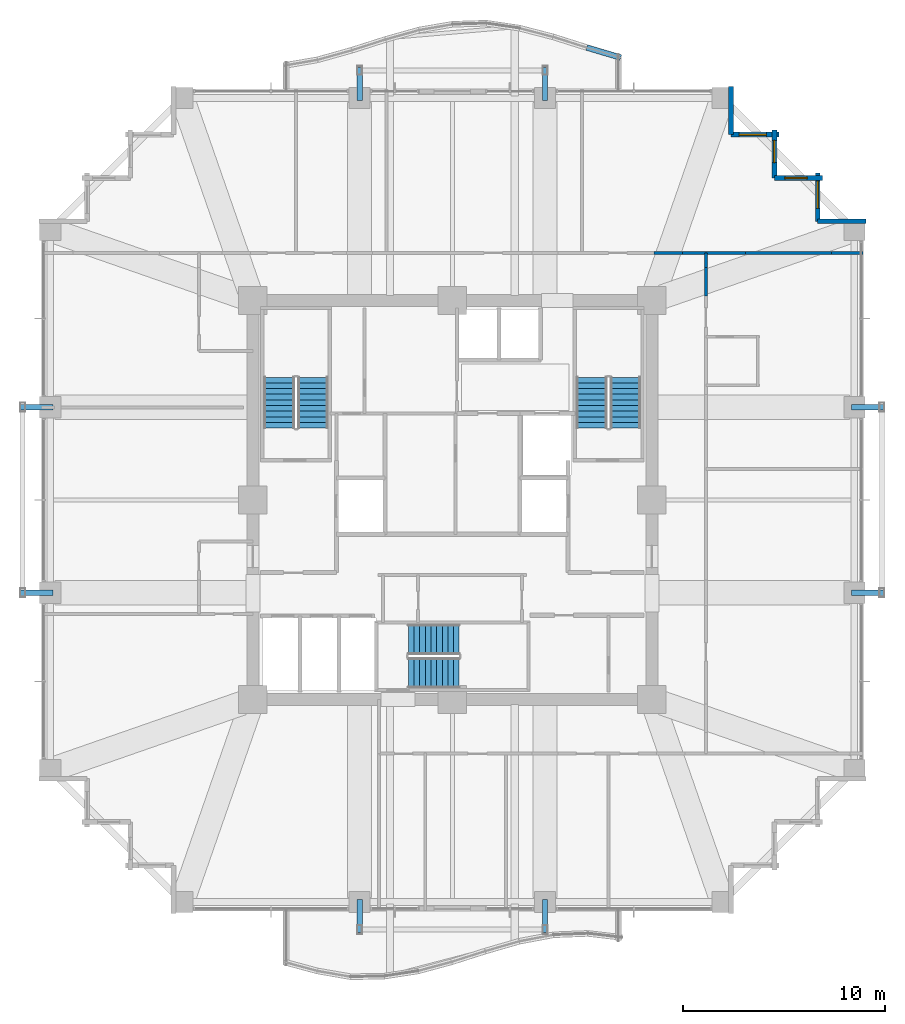
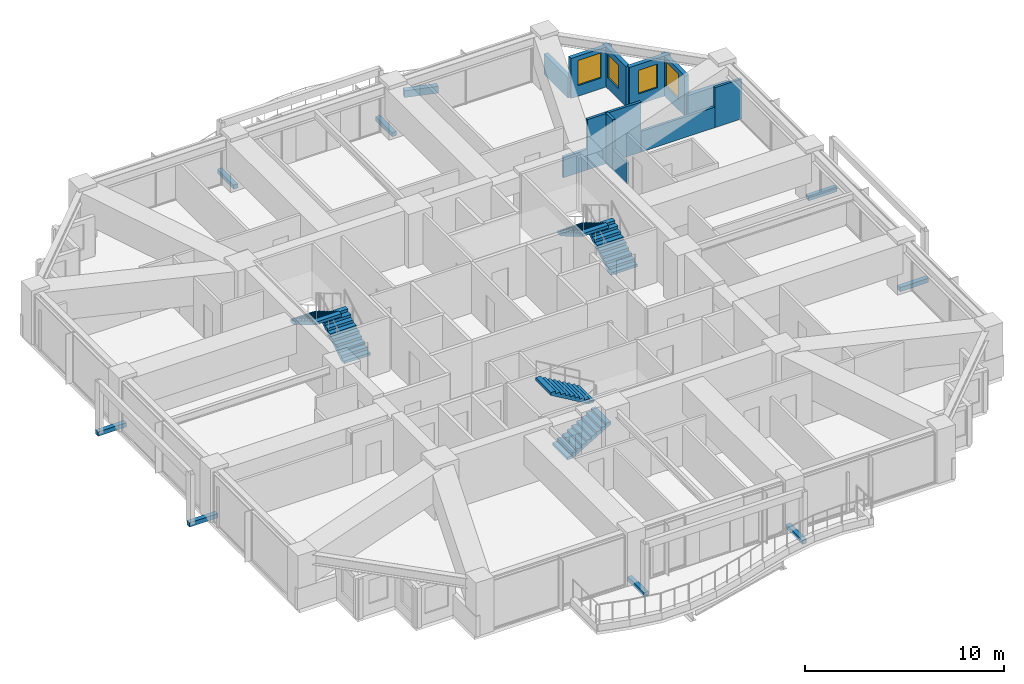
# One storey, part 37 of 39: 14 walls, 8 discrete accessories, 6 stair flights, 4 windows, 4 openings, 3 elements without a shape of their own.
"""IFC4 building model written with IfcOpenShell, lengths in metres."""

from ifc_helpers import new_model, si_unit, direction, frame, frame_2d, origin, origin_2d, place, context, subcontext, project, spatial, polyline, rectangle, outline, extrude, material, layer, layer_set, type_object, element, fill, aggregate, save


model = new_model("IFC4")

# Units and contexts
model_context = context("Model", 3, precision=1e-05, world=origin(), true_north=direction((0.0, 1.0)))
body_context = subcontext(model_context, "Body", "Model", "MODEL_VIEW")
ifc_project = project(units=[si_unit("LENGTHUNIT", "METRE"), si_unit("AREAUNIT", "SQUARE_METRE"), si_unit("VOLUMEUNIT", "CUBIC_METRE"), si_unit("PLANEANGLEUNIT", "RADIAN"), si_unit("MASSUNIT", "GRAM", prefix="KILO")], contexts=[model_context])

# Site, building, storey
site_placement = place(None, origin())
site = spatial("IfcSite", under=ifc_project, at=site_placement, CompositionType="ELEMENT")
building_placement = place(site_placement, origin())
building = spatial("IfcBuilding", under=site, at=building_placement, Name="Kolvaren Belvedere", CompositionType="ELEMENT")
storey_placement = place(building_placement, frame((0.0, 0.0, 85.39990234375)))
storey = spatial("IfcBuildingStorey", under=building, at=storey_placement, Name="L24", CompositionType="ELEMENT", Elevation=85.39990234375)

# Walls
ifc_material_1 = material(Name="Gypsum fire-rated partition assembly", Category="gypsum")
ifc_layer_1 = layer(ifc_material_1, 0.14990234375)
ifc_layer_set_1 = layer_set([ifc_layer_1], Name="Gypsum fire-rated partition assembly")
wall_type_1 = type_object("IfcWallType", Name="WL-CORR-150", PredefinedType="PARTITIONING", material=ifc_layer_set_1)
wall_1_placement = place(storey_placement, frame((10.013427734375, 12.260009765625, 0.0), z_axis=(0.0, 0.0, 1.0), x_axis=(1.0, 0.0, 0.0)))
element("IfcWall", 1, at=wall_1_placement, inside=storey, type_object=wall_type_1, Name="L24 North Corridor Wall", PredefinedType="PARTITIONING", context=body_context, shape_type="SweptSolid", body=[
    extrude(rectangle(XDim=1.416748046875, YDim=0.14990234375, at=frame_2d((0.70849609375, 0.0))), origin(), (0.0, 0.0, 1.0), 1.26513671875),
])
wall_2_placement = place(storey_placement, frame((11.43017578125, 12.260009765625, 0.0), z_axis=(0.0, 0.0, 1.0), x_axis=(1.0, 0.0, 0.0)))
element("IfcWall", 2, at=wall_2_placement, inside=storey, type_object=wall_type_1, Name="L24 North Corridor Wall", PredefinedType="PARTITIONING", context=body_context, shape_type="SweptSolid", body=[
    extrude(rectangle(XDim=1.14990234375, YDim=0.14990234375, at=frame_2d((0.574951171875, 0.0))), origin(), (0.0, 0.0, 1.0), 3.080078125),
])
wall_3_placement = place(storey_placement, frame((12.580078125, 10.125, 0.0), z_axis=(0.0, 0.0, 1.0), x_axis=(0.0, 1.0, 0.0)))
element("IfcWall", 3, at=wall_3_placement, inside=storey, type_object=wall_type_1, Name="L24 East Corridor Wall", PredefinedType="PARTITIONING", context=body_context, shape_type="SweptSolid", body=[
    extrude(rectangle(XDim=1.416748046875, YDim=0.14990234375, at=frame_2d((0.70849609375, 0.0))), origin(), (0.0, 0.0, 1.0), 1.26513671875),
])
wall_4_placement = place(storey_placement, frame((12.580078125, 11.541748046875, 0.0), z_axis=(0.0, 0.0, 1.0), x_axis=(0.0, 1.0, 0.0)))
element("IfcWall", 4, at=wall_4_placement, inside=storey, type_object=wall_type_1, Name="L24 East Corridor Wall", PredefinedType="PARTITIONING", context=body_context, shape_type="SweptSolid", body=[
    extrude(rectangle(XDim=0.71826171875, YDim=0.14990234375, at=frame_2d((0.359130859375, 0.0))), origin(), (0.0, 0.0, 1.0), 3.080078125),
])
ifc_material_2 = material(Name="Insulated pale-metal facade wall assembly", Category="aluminium")
ifc_layer_2 = layer(ifc_material_2, 0.239990234375)
ifc_layer_set_2 = layer_set([ifc_layer_2], Name="Insulated pale-metal facade wall assembly")
wall_type_2 = type_object("IfcWallType", Name="WL-EXT-240", PredefinedType="STANDARD", material=ifc_layer_set_2)
wall_5_placement = place(storey_placement, frame((18.1298828125, 13.830078125, 0.0), z_axis=(0.0, 0.0, 1.0), x_axis=(1.0, 0.0, 0.0)))
element("IfcWall", 5, at=wall_5_placement, inside=storey, type_object=wall_type_2, Name="L24 Serrated Corner Facade Wall 9", PredefinedType="STANDARD", context=body_context, shape_type="SweptSolid", body=[
    extrude(rectangle(XDim=2.39013671875, YDim=0.239990234375, at=frame_2d((1.195068359375, 0.0))), origin(), (0.0, 0.0, 1.0), 1.275146484375),
])

# Wall, opening, window
wall_6_placement = place(storey_placement, frame((18.1298828125, 16.219970703125, 0.0), z_axis=(0.0, 0.0, 1.0), x_axis=(0.0, -1.0, 0.0)))
wall_6 = element("IfcWall", 6, at=wall_6_placement, inside=storey, type_object=wall_type_2, Name="L24 Serrated Corner Facade Wall 10", PredefinedType="STANDARD", context=body_context, shape_type="SweptSolid", body=[
    extrude(rectangle(XDim=2.389892578125, YDim=0.239990234375, at=frame_2d((1.19482421875, 0.0))), origin(), (0.0, 0.0, 1.0), 2.458984375),
])
opening_1_placement = place(wall_6_placement, frame((0.39990234375, 0.0, 0.64990234375)))
opening_1 = element("IfcOpeningElement", 7, at=opening_1_placement, cuts=wall_6, Name="Opening W-1350", PredefinedType="OPENING", context=body_context, shape_type="SweptSolid", body=[
    extrude(rectangle(XDim=1.35009765625, YDim=1.550048828125, at=frame_2d((0.675048828125, 0.77490234375))), frame((0.0, 0.1298828125, 0.0), z_axis=(0.0, -1.0, 0.0), x_axis=(1.0, 0.0, 0.0)), (0.0, 0.0, 1.0), 0.260009765625),
])
ifc_material_3 = material(Name="Low-iron triple insulated glass", Category="glass")
window_type_1 = type_object("IfcWindowType", Name="WN-CORN-1350", PartitioningType="SINGLE_PANEL", PredefinedType="WINDOW", material=ifc_material_3)
window_1_placement = place(opening_1_placement, origin())
window_1 = element("IfcWindow", 8, at=window_1_placement, inside=storey, type_object=window_type_1, Name="L24 Serrated Corner Vision Window 10", OverallHeight=1.550048828125, OverallWidth=1.35009765625, PartitioningType="SINGLE_PANEL", PredefinedType="WINDOW", context=body_context, shape_type="SweptSolid", body=[
    extrude(rectangle(XDim=1.35009765625, YDim=1.550048828125, at=frame_2d((0.675048828125, 0.77490234375))), frame((0.0, 0.030029296875, 0.0), z_axis=(0.0, -1.0, 0.0), x_axis=(1.0, 0.0, 0.0)), (0.0, 0.0, 1.0), 0.06005859375),
])
fill(opening_1, window_1)

wall_7_placement = place(storey_placement, frame((15.97998046875, 15.97998046875, 0.0), z_axis=(0.0, 0.0, 1.0), x_axis=(1.0, 0.0, 0.0)))
wall_7 = element("IfcWall", 9, at=wall_7_placement, inside=storey, type_object=wall_type_2, Name="L24 Serrated Corner Facade Wall 11", PredefinedType="STANDARD", context=body_context, shape_type="SweptSolid", body=[
    extrude(rectangle(XDim=2.39013671875, YDim=0.239990234375, at=frame_2d((1.195068359375, 0.0))), origin(), (0.0, 0.0, 1.0), 2.458984375),
])
opening_2_placement = place(wall_7_placement, frame((0.52490234375, 0.0, 0.64990234375)))
opening_2 = element("IfcOpeningElement", 10, at=opening_2_placement, cuts=wall_7, Name="Opening W-1100", PredefinedType="OPENING", context=body_context, shape_type="SweptSolid", body=[
    extrude(rectangle(XDim=1.10009765625, YDim=1.449951171875, at=frame_2d((0.550048828125, 0.72509765625))), frame((0.0, 0.1298828125, 0.0), z_axis=(0.0, -1.0, 0.0), x_axis=(1.0, 0.0, 0.0)), (0.0, 0.0, 1.0), 0.260009765625),
])
ifc_material_4 = material(Name="Low-iron triple insulated glass", Category="glass")
window_type_2 = type_object("IfcWindowType", Name="WN-CORN-1100", PartitioningType="SINGLE_PANEL", PredefinedType="WINDOW", material=ifc_material_4)
window_2_placement = place(opening_2_placement, origin())
window_2 = element("IfcWindow", 11, at=window_2_placement, inside=storey, type_object=window_type_2, Name="L24 Serrated Corner Vision Window 11", OverallHeight=1.449951171875, OverallWidth=1.10009765625, PartitioningType="SINGLE_PANEL", PredefinedType="WINDOW", context=body_context, shape_type="SweptSolid", body=[
    extrude(rectangle(XDim=1.10009765625, YDim=1.449951171875, at=frame_2d((0.550048828125, 0.72509765625))), frame((0.0, 0.030029296875, 0.0), z_axis=(0.0, -1.0, 0.0), x_axis=(1.0, 0.0, 0.0)), (0.0, 0.0, 1.0), 0.06005859375),
])
fill(opening_2, window_2)

wall_8_placement = place(storey_placement, frame((15.97998046875, 18.3701171875, 0.0), z_axis=(0.0, 0.0, 1.0), x_axis=(0.0, -1.0, 0.0)))
wall_8 = element("IfcWall", 12, at=wall_8_placement, inside=storey, type_object=wall_type_2, Name="L24 Serrated Corner Facade Wall 12", PredefinedType="STANDARD", context=body_context, shape_type="SweptSolid", body=[
    extrude(rectangle(XDim=2.39013671875, YDim=0.239990234375, at=frame_2d((1.195068359375, 0.0))), origin(), (0.0, 0.0, 1.0), 2.458984375),
])
opening_3_placement = place(wall_8_placement, frame((0.52490234375, 0.0, 0.64990234375)))
opening_3 = element("IfcOpeningElement", 13, at=opening_3_placement, cuts=wall_8, Name="Opening W-1100", PredefinedType="OPENING", context=body_context, shape_type="SweptSolid", body=[
    extrude(rectangle(XDim=1.10009765625, YDim=1.449951171875, at=frame_2d((0.550048828125, 0.72509765625))), frame((0.0, 0.1298828125, 0.0), z_axis=(0.0, -1.0, 0.0), x_axis=(1.0, 0.0, 0.0)), (0.0, 0.0, 1.0), 0.260009765625),
])
window_3_placement = place(opening_3_placement, origin())
window_3 = element("IfcWindow", 14, at=window_3_placement, inside=storey, type_object=window_type_2, Name="L24 Serrated Corner Vision Window 12", OverallHeight=1.449951171875, OverallWidth=1.10009765625, PartitioningType="SINGLE_PANEL", PredefinedType="WINDOW", context=body_context, shape_type="SweptSolid", body=[
    extrude(rectangle(XDim=1.10009765625, YDim=1.449951171875, at=frame_2d((0.550048828125, 0.72509765625))), frame((0.0, 0.030029296875, 0.0), z_axis=(0.0, -1.0, 0.0), x_axis=(1.0, 0.0, 0.0)), (0.0, 0.0, 1.0), 0.06005859375),
])
fill(opening_3, window_3)

wall_9_placement = place(storey_placement, frame((13.830078125, 18.1298828125, 0.0), z_axis=(0.0, 0.0, 1.0), x_axis=(1.0, 0.0, 0.0)))
wall_9 = element("IfcWall", 15, at=wall_9_placement, inside=storey, type_object=wall_type_2, Name="L24 Serrated Corner Facade Wall 13", PredefinedType="STANDARD", context=body_context, shape_type="SweptSolid", body=[
    extrude(rectangle(XDim=2.389892578125, YDim=0.239990234375, at=frame_2d((1.19482421875, 0.0))), origin(), (0.0, 0.0, 1.0), 2.458984375),
])
opening_4_placement = place(wall_9_placement, frame((0.39990234375, 0.0, 0.64990234375)))
opening_4 = element("IfcOpeningElement", 16, at=opening_4_placement, cuts=wall_9, Name="Opening W-1350", PredefinedType="OPENING", context=body_context, shape_type="SweptSolid", body=[
    extrude(rectangle(XDim=1.35009765625, YDim=1.550048828125, at=frame_2d((0.675048828125, 0.77490234375))), frame((0.0, 0.1298828125, 0.0), z_axis=(0.0, -1.0, 0.0), x_axis=(1.0, 0.0, 0.0)), (0.0, 0.0, 1.0), 0.260009765625),
])
window_4_placement = place(opening_4_placement, origin())
window_4 = element("IfcWindow", 17, at=window_4_placement, inside=storey, type_object=window_type_1, Name="L24 Serrated Corner Vision Window 13", OverallHeight=1.550048828125, OverallWidth=1.35009765625, PartitioningType="SINGLE_PANEL", PredefinedType="WINDOW", context=body_context, shape_type="SweptSolid", body=[
    extrude(rectangle(XDim=1.35009765625, YDim=1.550048828125, at=frame_2d((0.675048828125, 0.77490234375))), frame((0.0, 0.030029296875, 0.0), z_axis=(0.0, -1.0, 0.0), x_axis=(1.0, 0.0, 0.0)), (0.0, 0.0, 1.0), 0.06005859375),
])
fill(opening_4, window_4)

# Walls
wall_10_placement = place(storey_placement, frame((13.830078125, 20.52001953125, 0.0), z_axis=(0.0, 0.0, 1.0), x_axis=(0.0, -1.0, 0.0)))
element("IfcWall", 18, at=wall_10_placement, inside=storey, type_object=wall_type_2, Name="L24 Serrated Corner Facade Wall 14", PredefinedType="STANDARD", context=body_context, shape_type="SweptSolid", body=[
    extrude(rectangle(XDim=2.39013671875, YDim=0.239990234375, at=frame_2d((1.195068359375, 0.0))), origin(), (0.0, 0.0, 1.0), 1.275146484375),
])
ifc_material_5 = material(Name="Gypsum acoustic partition assembly", Category="gypsum")
ifc_layer_3 = layer(ifc_material_5, 0.14990234375)
ifc_layer_set_3 = layer_set([ifc_layer_3], Name="Gypsum acoustic partition assembly")
wall_type_3 = type_object("IfcWallType", Name="WL-PART-150", PredefinedType="PARTITIONING", material=ifc_layer_set_3)
wall_11_placement = place(storey_placement, frame((12.580078125, 12.260009765625, 0.0), z_axis=(0.0, 0.0, 1.0), x_axis=(1.0, 0.0, 0.0)))
element("IfcWall", 19, at=wall_11_placement, inside=storey, type_object=wall_type_3, Name="L24 Wing Divider PW-L24-QNE", PredefinedType="PARTITIONING", context=body_context, shape_type="SweptSolid", body=[
    extrude(rectangle(XDim=1.955810546875, YDim=0.14990234375, at=frame_2d((0.97802734375, 0.0))), origin(), (0.0, 0.0, 1.0), 3.080078125),
])
wall_12_placement = place(storey_placement, frame((14.535888671875, 12.260009765625, 0.0), z_axis=(0.0, 0.0, 1.0), x_axis=(1.0, 0.0, 0.0)))
element("IfcWall", 20, at=wall_12_placement, inside=storey, type_object=wall_type_3, Name="L24 Wing Divider PW-L24-QNE", PredefinedType="PARTITIONING", context=body_context, shape_type="SweptSolid", body=[
    extrude(rectangle(XDim=4.281494140625, YDim=0.14990234375, at=frame_2d((2.140625, 0.0))), origin(), (0.0, 0.0, 1.0), 1.26513671875),
])
wall_13_placement = place(storey_placement, frame((18.8173828125, 12.260009765625, 0.0), z_axis=(0.0, 0.0, 1.0), x_axis=(1.0, 0.0, 0.0)))
element("IfcWall", 21, at=wall_13_placement, inside=storey, type_object=wall_type_3, Name="L24 Wing Divider PW-L24-QNE", PredefinedType="PARTITIONING", context=body_context, shape_type="SweptSolid", body=[
    extrude(rectangle(XDim=1.5625, YDim=0.14990234375, at=frame_2d((0.78125, 0.0))), origin(), (0.0, 0.0, 1.0), 2.44921875),
])
ifc_material_6 = material(Name="Precast concrete C40/50", Category="concrete")
ifc_layer_4 = layer(ifc_material_6, 0.300048828125)
ifc_layer_set_4 = layer_set([ifc_layer_4], Name="Precast concrete C40/50")
wall_type_4 = type_object("IfcWallType", Name="WL-PLANTER-300", PredefinedType="PARAPET", material=ifc_layer_set_4)
wall_14_placement = place(storey_placement, frame((8.3544921875, 21.951904296875, -0.039794921875), z_axis=(0.0, 0.0, 1.0), x_axis=(-0.958574394638, 0.284842289601, 0.0)))
element("IfcWall", 22, at=wall_14_placement, inside=storey, type_object=wall_type_4, Name="L24 Precast Structural Planter Wall BAL-N-12", PredefinedType="PARAPET", context=body_context, shape_type="SweptSolid", body=[
    extrude(rectangle(XDim=1.752685546875, YDim=0.280029296875, at=frame_2d((0.87646484375, 0.0))), origin(), (0.0, 0.0, 1.0), 0.419921875),
])

# Stair, stair flights
ifc_material_7 = material(Name="Concrete C50/60", Category="concrete")
stair_type = type_object("IfcStairType", Name="ST-CORE-1520", PredefinedType="HALF_TURN_STAIR", material=ifc_material_7)
stair_1_placement = place(storey_placement, origin())
stair_1 = element("IfcStair", 23, at=stair_1_placement, inside=storey, type_object=stair_type, Name="L24 Protected Exit Stair ST-1", PredefinedType="HALF_TURN_STAIR")
ifc_material_8 = material(Name="Concrete C50/60", Category="concrete")
stair_flight_type = type_object("IfcStairFlightType", Name="SF-STR-1520", PredefinedType="STRAIGHT", material=ifc_material_8)
stair_flight_1_placement = place(storey_placement, frame((-6.919921875, 3.570068359375, 0.0), z_axis=(0.0, 0.0, 1.0), x_axis=(0.0, 1.0, 0.0)))
stair_flight_1 = element("IfcStairFlight", 24, at=stair_flight_1_placement, type_object=stair_flight_type, Name="ST-1 flight 1", NumberOfRisers=10, NumberOfTreads=9, PredefinedType="STRAIGHT", RiserHeight=0.165, TreadLength=0.28, context=body_context, shape_type="SweptSolid", body=[
    extrude(outline(polyline([(0.0, 0.0), (0.0, 0.1650390625), (0.280029296875, 0.1650390625), (0.280029296875, 0.330078125), (0.56005859375, 0.330078125), (0.56005859375, 0.4951171875), (0.840087890625, 0.4951171875), (0.840087890625, 0.659912109375), (1.1201171875, 0.659912109375), (1.1201171875, 0.824951171875), (1.39990234375, 0.824951171875), (1.39990234375, 0.989990234375), (1.679931640625, 0.989990234375), (1.679931640625, 1.155029296875), (1.9599609375, 1.155029296875), (1.9599609375, 1.320068359375), (2.239990234375, 1.320068359375), (2.239990234375, 1.485107421875), (2.52001953125, 1.485107421875), (2.52001953125, 1.64990234375), (2.52001953125, 1.31103515625), (0.295166015625, 0.0), (0.0, 0.0)])), frame((0.0, 0.760009765625, 0.0), z_axis=(0.0, -1.0, 0.0), x_axis=(1.0, 0.0, 0.0)), (0.0, 0.0, 1.0), 1.52001953125),
])
stair_flight_2_placement = place(storey_placement, frame((-8.590087890625, 6.090087890625, 1.650146484375), z_axis=(0.0, 0.0, 1.0), x_axis=(0.0, -1.0, 0.0)))
stair_flight_2 = element("IfcStairFlight", 25, at=stair_flight_2_placement, type_object=stair_flight_type, Name="ST-1 flight 2", NumberOfRisers=10, NumberOfTreads=9, PredefinedType="STRAIGHT", RiserHeight=0.165, TreadLength=0.28, context=body_context, shape_type="SweptSolid", body=[
    extrude(outline(polyline([(0.0, 0.0), (0.0, 0.1650390625), (0.280029296875, 0.1650390625), (0.280029296875, 0.330078125), (0.56005859375, 0.330078125), (0.56005859375, 0.4951171875), (0.840087890625, 0.4951171875), (0.840087890625, 0.659912109375), (1.1201171875, 0.659912109375), (1.1201171875, 0.824951171875), (1.39990234375, 0.824951171875), (1.39990234375, 0.989990234375), (1.679931640625, 0.989990234375), (1.679931640625, 1.155029296875), (1.9599609375, 1.155029296875), (1.9599609375, 1.320068359375), (2.239990234375, 1.320068359375), (2.239990234375, 1.485107421875), (2.52001953125, 1.485107421875), (2.52001953125, 1.64990234375), (2.52001953125, 1.31103515625), (0.295166015625, 0.0), (0.0, 0.0)])), frame((0.0, 0.760009765625, 0.0), z_axis=(0.0, -1.0, 0.0), x_axis=(1.0, 0.0, 0.0)), (0.0, 0.0, 1.0), 1.52001953125),
])
aggregate(stair_1, [stair_flight_1, stair_flight_2])

stair_2_placement = place(storey_placement, origin())
stair_2 = element("IfcStair", 26, at=stair_2_placement, inside=storey, type_object=stair_type, Name="L24 Protected Exit Stair ST-2", PredefinedType="HALF_TURN_STAIR")
stair_flight_3_placement = place(storey_placement, frame((8.590087890625, 3.570068359375, 0.0), z_axis=(0.0, 0.0, 1.0), x_axis=(0.0, 1.0, 0.0)))
stair_flight_3 = element("IfcStairFlight", 27, at=stair_flight_3_placement, type_object=stair_flight_type, Name="ST-2 flight 1", NumberOfRisers=10, NumberOfTreads=9, PredefinedType="STRAIGHT", RiserHeight=0.165, TreadLength=0.28, context=body_context, shape_type="SweptSolid", body=[
    extrude(outline(polyline([(0.0, 0.0), (0.0, 0.1650390625), (0.280029296875, 0.1650390625), (0.280029296875, 0.330078125), (0.56005859375, 0.330078125), (0.56005859375, 0.4951171875), (0.840087890625, 0.4951171875), (0.840087890625, 0.659912109375), (1.1201171875, 0.659912109375), (1.1201171875, 0.824951171875), (1.39990234375, 0.824951171875), (1.39990234375, 0.989990234375), (1.679931640625, 0.989990234375), (1.679931640625, 1.155029296875), (1.9599609375, 1.155029296875), (1.9599609375, 1.320068359375), (2.239990234375, 1.320068359375), (2.239990234375, 1.485107421875), (2.52001953125, 1.485107421875), (2.52001953125, 1.64990234375), (2.52001953125, 1.31103515625), (0.295166015625, 0.0), (0.0, 0.0)])), frame((0.0, 0.760009765625, 0.0), z_axis=(0.0, -1.0, 0.0), x_axis=(1.0, 0.0, 0.0)), (0.0, 0.0, 1.0), 1.52001953125),
])
stair_flight_4_placement = place(storey_placement, frame((6.919921875, 6.090087890625, 1.650146484375), z_axis=(0.0, 0.0, 1.0), x_axis=(0.0, -1.0, 0.0)))
stair_flight_4 = element("IfcStairFlight", 28, at=stair_flight_4_placement, type_object=stair_flight_type, Name="ST-2 flight 2", NumberOfRisers=10, NumberOfTreads=9, PredefinedType="STRAIGHT", RiserHeight=0.165, TreadLength=0.28, context=body_context, shape_type="SweptSolid", body=[
    extrude(outline(polyline([(0.0, 0.0), (0.0, 0.1650390625), (0.280029296875, 0.1650390625), (0.280029296875, 0.330078125), (0.56005859375, 0.330078125), (0.56005859375, 0.4951171875), (0.840087890625, 0.4951171875), (0.840087890625, 0.659912109375), (1.1201171875, 0.659912109375), (1.1201171875, 0.824951171875), (1.39990234375, 0.824951171875), (1.39990234375, 0.989990234375), (1.679931640625, 0.989990234375), (1.679931640625, 1.155029296875), (1.9599609375, 1.155029296875), (1.9599609375, 1.320068359375), (2.239990234375, 1.320068359375), (2.239990234375, 1.485107421875), (2.52001953125, 1.485107421875), (2.52001953125, 1.64990234375), (2.52001953125, 1.31103515625), (0.295166015625, 0.0), (0.0, 0.0)])), frame((0.0, 0.760009765625, 0.0), z_axis=(0.0, -1.0, 0.0), x_axis=(1.0, 0.0, 0.0)), (0.0, 0.0, 1.0), 1.52001953125),
])
aggregate(stair_2, [stair_flight_3, stair_flight_4])

stair_3_placement = place(storey_placement, origin())
stair_3 = element("IfcStair", 29, at=stair_3_placement, inside=storey, type_object=stair_type, Name="L24 Protected Exit Stair ST-3", PredefinedType="HALF_TURN_STAIR")
stair_flight_5_placement = place(storey_placement, frame((-2.179931640625, -8.590087890625, 0.0), z_axis=(0.0, 0.0, 1.0), x_axis=(1.0, 0.0, 0.0)))
stair_flight_5 = element("IfcStairFlight", 30, at=stair_flight_5_placement, type_object=stair_flight_type, Name="ST-3 flight 1", NumberOfRisers=10, NumberOfTreads=9, PredefinedType="STRAIGHT", RiserHeight=0.165, TreadLength=0.28, context=body_context, shape_type="SweptSolid", body=[
    extrude(outline(polyline([(0.0, 0.0), (0.0, 0.1650390625), (0.280029296875, 0.1650390625), (0.280029296875, 0.330078125), (0.56005859375, 0.330078125), (0.56005859375, 0.4951171875), (0.840087890625, 0.4951171875), (0.840087890625, 0.659912109375), (1.1201171875, 0.659912109375), (1.1201171875, 0.824951171875), (1.39990234375, 0.824951171875), (1.39990234375, 0.989990234375), (1.679931640625, 0.989990234375), (1.679931640625, 1.155029296875), (1.9599609375, 1.155029296875), (1.9599609375, 1.320068359375), (2.239990234375, 1.320068359375), (2.239990234375, 1.485107421875), (2.52001953125, 1.485107421875), (2.52001953125, 1.64990234375), (2.52001953125, 1.31103515625), (0.295166015625, 0.0), (0.0, 0.0)])), frame((0.0, 0.760009765625, 0.0), z_axis=(0.0, -1.0, 0.0), x_axis=(1.0, 0.0, 0.0)), (0.0, 0.0, 1.0), 1.52001953125),
])
stair_flight_6_placement = place(storey_placement, frame((0.340087890625, -6.919921875, 1.650146484375), z_axis=(0.0, 0.0, 1.0), x_axis=(-1.0, 0.0, 0.0)))
stair_flight_6 = element("IfcStairFlight", 31, at=stair_flight_6_placement, type_object=stair_flight_type, Name="ST-3 flight 2", NumberOfRisers=10, NumberOfTreads=9, PredefinedType="STRAIGHT", RiserHeight=0.165, TreadLength=0.28, context=body_context, shape_type="SweptSolid", body=[
    extrude(outline(polyline([(0.0, 0.0), (0.0, 0.1650390625), (0.280029296875, 0.1650390625), (0.280029296875, 0.330078125), (0.56005859375, 0.330078125), (0.56005859375, 0.4951171875), (0.840087890625, 0.4951171875), (0.840087890625, 0.659912109375), (1.1201171875, 0.659912109375), (1.1201171875, 0.824951171875), (1.39990234375, 0.824951171875), (1.39990234375, 0.989990234375), (1.679931640625, 0.989990234375), (1.679931640625, 1.155029296875), (1.9599609375, 1.155029296875), (1.9599609375, 1.320068359375), (2.239990234375, 1.320068359375), (2.239990234375, 1.485107421875), (2.52001953125, 1.485107421875), (2.52001953125, 1.64990234375), (2.52001953125, 1.31103515625), (0.295166015625, 0.0), (0.0, 0.0)])), frame((0.0, 0.760009765625, 0.0), z_axis=(0.0, -1.0, 0.0), x_axis=(1.0, 0.0, 0.0)), (0.0, 0.0, 1.0), 1.52001953125),
])
aggregate(stair_3, [stair_flight_5, stair_flight_6])

# Discrete accessories
ifc_material_9 = material(Name="Structural steel ASTM A572 Grade 50", Category="steel")
discrete_accessory_type = type_object("IfcDiscreteAccessoryType", Name="BRK-1 Steel Facade Support Bracket", PredefinedType="BRACKET", material=ifc_material_9)
for number, where, z_axis, x_axis, name in (
    (32, (-4.60009765625, 20.635009765625, -0.169921875), (0.0, 0.0, 1.0), (0.0, 1.0, 0.0), "L24 Picture-Frame Outrigger Cleat Bracket N1"),
    (33, (4.60009765625, 20.635009765625, -0.169921875), (0.0, 0.0, 1.0), (0.0, 1.0, 0.0), "L24 Picture-Frame Outrigger Cleat Bracket N2"),
    (34, (4.60009765625, -20.635009765625, -0.169921875), (0.0, 0.0, 1.0), (0.0, 1.0, 0.0), "L24 Picture-Frame Outrigger Cleat Bracket S1"),
    (35, (-4.60009765625, -20.635009765625, -0.169921875), (0.0, 0.0, 1.0), (0.0, 1.0, 0.0), "L24 Picture-Frame Outrigger Cleat Bracket S2"),
    (36, (20.635009765625, 4.60009765625, -0.169921875), (0.0, 0.0, 1.0), (1.0, 0.0, 0.0), "L24 Picture-Frame Outrigger Cleat Bracket E1"),
    (37, (20.635009765625, -4.60009765625, -0.169921875), (0.0, 0.0, 1.0), (1.0, 0.0, 0.0), "L24 Picture-Frame Outrigger Cleat Bracket E2"),
    (38, (-20.635009765625, -4.60009765625, -0.169921875), (0.0, 0.0, 1.0), (1.0, 0.0, 0.0), "L24 Picture-Frame Outrigger Cleat Bracket W1"),
    (39, (-20.635009765625, 4.60009765625, -0.169921875), (0.0, 0.0, 1.0), (1.0, 0.0, 0.0), "L24 Picture-Frame Outrigger Cleat Bracket W2"),
):
    element("IfcDiscreteAccessory", number, at=place(storey_placement, frame(where, z_axis=z_axis, x_axis=x_axis)), inside=storey, type_object=discrete_accessory_type, Name=name, PredefinedType="BRACKET", context=body_context, shape_type="SweptSolid", body=[
        extrude(rectangle(XDim=1.639892578125, YDim=0.260009765625, at=origin_2d()), origin(), (0.0, 0.0, 1.0), 0.260009765625),
    ])

save(model, "model.ifc")
